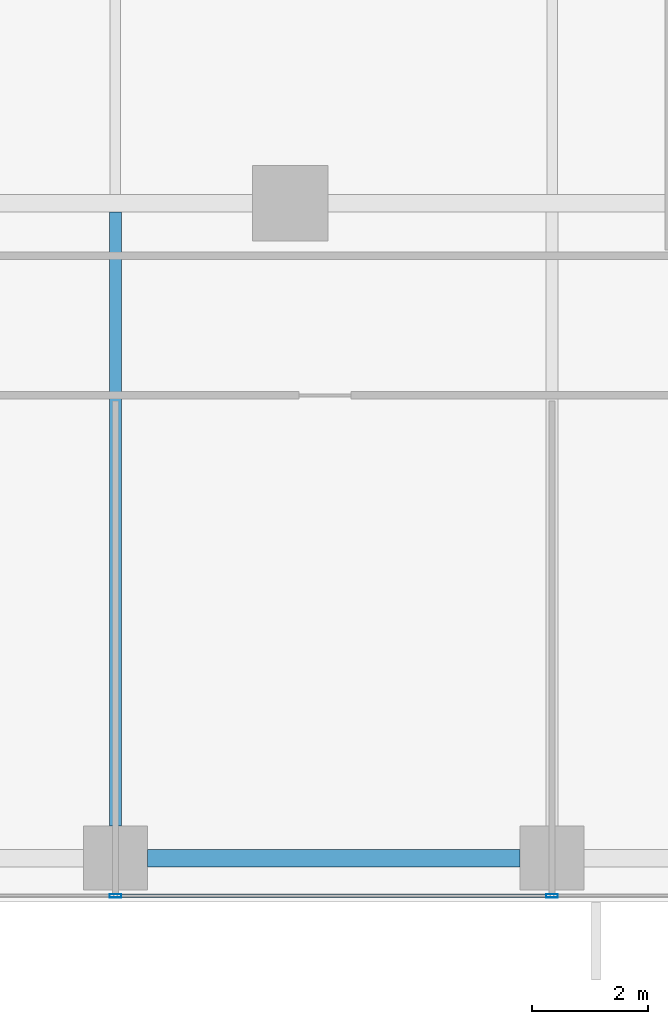
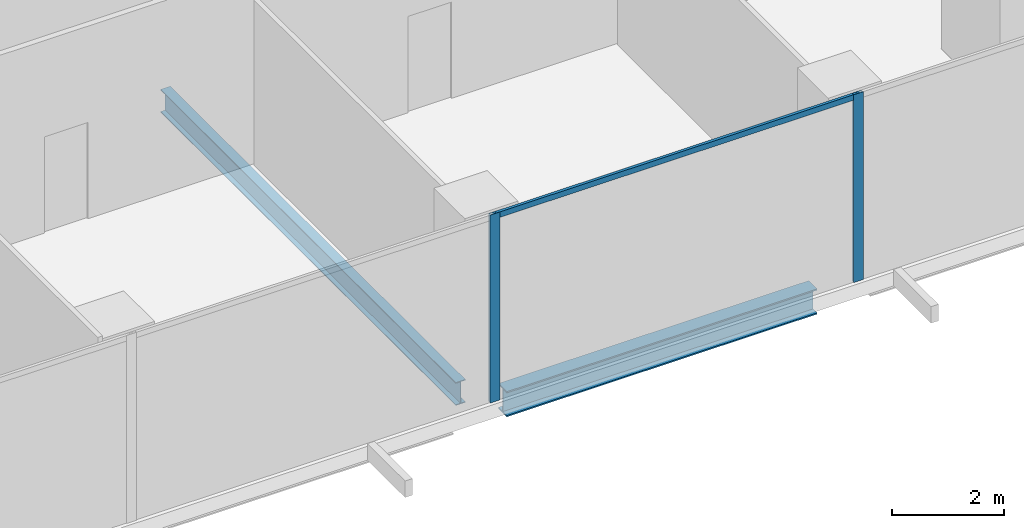
# One storey, part 9 of 34: 3 members, 2 beams, 1 element without a shape of its own.
"""IFC4 building model written with IfcOpenShell, lengths in metres."""

import ifcopenshell
import ifcopenshell.guid

model = None  # the IFC model being written
_history = None  # IfcOwnerHistory: only IFC2X3 demands one
_inside = {}  # id of a spatial element -> (the spatial element, [elements in it])
_under = {}  # id of a project, library or spatial element -> (it, [spatial elements below it])
_declared = {}  # id of a project -> (the project, [libraries it declares])
_typed = {}  # id of a type object -> (the type object, [elements of that type])
_made_of = {}  # id of a material, layer set ... -> (it, [elements and type objects made of it])


def new_model(schema):
    """Start an empty IFC model of exactly this schema.

    Asked for "IFC4X3", IfcOpenShell would pick the latest addendum, in which some entities
    have other attributes; the version numbers below select the first issue.
    IFC2X3 requires an IfcOwnerHistory on every rooted entity: one is made here for all.
    """
    global model, _history
    if schema == "IFC4X3":
        model = ifcopenshell.file(schema_version=(4, 3, 0, 0))
    else:
        model = ifcopenshell.file(schema=schema)
    _inside.clear()
    _under.clear()
    _declared.clear()
    _typed.clear()
    _made_of.clear()
    _history = None
    if model.schema == "IFC2X3":
        org = make("IfcOrganization", Name="unknown")
        user = make(
            "IfcPersonAndOrganization",
            ThePerson=make("IfcPerson", FamilyName="unknown"),
            TheOrganization=org,
        )
        app = make(
            "IfcApplication",
            ApplicationDeveloper=org,
            Version="unknown",
            ApplicationFullName="unknown",
            ApplicationIdentifier="unknown",
        )
        _history = make(
            "IfcOwnerHistory",
            OwningUser=user,
            OwningApplication=app,
            ChangeAction="ADDED",
            CreationDate=0,
        )
    return model


def make(cls, **values):
    """One entity of the class cls with the attributes given. An attribute that is None is left unset."""
    return model.create_entity(
        cls, **{name: value for name, value in values.items() if value is not None}
    )


def rooted(cls, **values):
    """An entity with a GlobalId (a new one), such as an element, a storey or a relation."""
    return make(cls, GlobalId=ifcopenshell.guid.new(), OwnerHistory=_history, **values)


def si_unit(unit_type, name, prefix=None):
    """IfcSIUnit, for example si_unit("LENGTHUNIT", "METRE", prefix="MILLI")."""
    return make("IfcSIUnit", UnitType=unit_type, Prefix=prefix, Name=name)


def assignment(units):
    """IfcUnitAssignment: the units of a project."""
    return None if units is None else make("IfcUnitAssignment", Units=units)


def point(xyz):
    """IfcCartesianPoint."""
    return None if xyz is None else make("IfcCartesianPoint", Coordinates=xyz)


def direction(xyz):
    """IfcDirection."""
    return None if xyz is None else make("IfcDirection", DirectionRatios=xyz)


def frame(location, z_axis=None, x_axis=None):
    """IfcAxis2Placement3D, a coordinate frame: its origin and axes. An axis left out is left unset."""
    return make(
        "IfcAxis2Placement3D",
        Location=point(location),
        Axis=direction(z_axis),
        RefDirection=direction(x_axis),
    )


def frame_2d(location, x_axis=None):
    """IfcAxis2Placement2D, a coordinate frame in the plane: its origin and x axis."""
    return make(
        "IfcAxis2Placement2D", Location=point(location), RefDirection=direction(x_axis)
    )


def origin():
    """The frame at (0, 0, 0) with its axes left unset."""
    return frame((0.0, 0.0, 0.0))


def origin_2d():
    """The frame at (0, 0) in the plane with its x axis left unset."""
    return frame_2d((0.0, 0.0))


def place(relative_to, where):
    """IfcLocalPlacement: puts the frame where relative to a parent placement (None: the world)."""
    return make(
        "IfcLocalPlacement", PlacementRelTo=relative_to, RelativePlacement=where
    )


def context(
    kind, dimensions, precision=None, world=None, true_north=None, identifier=None
):
    """IfcGeometricRepresentationContext, for example the 3D "Model" context."""
    return make(
        "IfcGeometricRepresentationContext",
        ContextIdentifier=identifier,
        ContextType=kind,
        CoordinateSpaceDimension=dimensions,
        Precision=precision,
        WorldCoordinateSystem=world,
        TrueNorth=true_north,
    )


def subcontext(parent, identifier, kind, view, scale=None):
    """IfcGeometricRepresentationSubContext, for example "Body" below "Model"."""
    return make(
        "IfcGeometricRepresentationSubContext",
        ContextIdentifier=identifier,
        ContextType=kind,
        ParentContext=parent,
        TargetScale=scale,
        TargetView=view,
    )


def project(units=None, contexts=None):
    """IfcProject with its units and contexts."""
    return rooted(
        "IfcProject",
        Name="project",
        RepresentationContexts=contexts,
        UnitsInContext=assignment(units),
    )


def spatial(cls, under=None, at=None, **own):
    """A site, building, storey or space (cls), placed at a placement, below another one or the project."""
    s = rooted(cls, ObjectPlacement=at, **own)
    if under is not None:
        _under.setdefault(under.id(), (under, []))[1].append(s)
    return s


def profile(cls, at=None, kind="AREA", **sizes):
    """A parametric profile (cls). Its sizes go by their IFC names, for example OverallWidth=200.0."""
    return make(cls, ProfileType=kind, Position=at, **sizes)


def hollow_rectangle(**sizes):
    """IfcRectangleHollowProfileDef."""
    return profile("IfcRectangleHollowProfileDef", **sizes)


def i_section(**sizes):
    """IfcIShapeProfileDef."""
    return profile("IfcIShapeProfileDef", **sizes)


def extrude(swept, where, along, depth):
    """IfcExtrudedAreaSolid: the profile swept, set in the frame where, extruded along a direction by depth."""
    return make(
        "IfcExtrudedAreaSolid",
        SweptArea=swept,
        Position=where,
        ExtrudedDirection=direction(along),
        Depth=depth,
    )


def shape(context_of_items, identifier, shape_type, items):
    """IfcShapeRepresentation: the items that make up one representation, for example the "Body"."""
    return make(
        "IfcShapeRepresentation",
        ContextOfItems=context_of_items,
        RepresentationIdentifier=identifier,
        RepresentationType=shape_type,
        Items=items,
    )


def source(mapping_origin, context_of_items, identifier, shape_type, items):
    """IfcRepresentationMap: a shape defined once, which mapped items show again and again."""
    return make(
        "IfcRepresentationMap",
        MappingOrigin=mapping_origin,
        MappedRepresentation=shape(context_of_items, identifier, shape_type, items),
    )


def transform(
    local_origin,
    x_axis=None,
    y_axis=None,
    z_axis=None,
    scale=None,
    scale2=None,
    scale3=None,
    uniform=True,
):
    """IfcCartesianTransformationOperator3D, or its non-uniform kind. x_axis, y_axis, z_axis: its Axis1, 2, 3."""
    if uniform:
        return make(
            "IfcCartesianTransformationOperator3D",
            Axis1=direction(x_axis),
            Axis2=direction(y_axis),
            LocalOrigin=point(local_origin),
            Scale=scale,
            Axis3=direction(z_axis),
        )
    return make(
        "IfcCartesianTransformationOperator3DnonUniform",
        Axis1=direction(x_axis),
        Axis2=direction(y_axis),
        LocalOrigin=point(local_origin),
        Scale=scale,
        Axis3=direction(z_axis),
        Scale2=scale2,
        Scale3=scale3,
    )


def mapped(mapping_source, mapping_target):
    """IfcMappedItem: shows the shape of a source again, moved by a transform."""
    return make(
        "IfcMappedItem", MappingSource=mapping_source, MappingTarget=mapping_target
    )


def material(Name=None, Category=None):
    """IfcMaterial."""
    return make("IfcMaterial", Name=Name, Category=Category)


def material_profile(
    of_material, cross_section, Name=None, Category=None, Priority=None
):
    """IfcMaterialProfile: a cross section and its material."""
    return make(
        "IfcMaterialProfile",
        Name=Name,
        Material=of_material,
        Profile=cross_section,
        Priority=Priority,
        Category=Category,
    )


def profile_set(profiles, Name=None, composite=None):
    """IfcMaterialProfileSet."""
    return make(
        "IfcMaterialProfileSet",
        Name=Name,
        MaterialProfiles=profiles,
        CompositeProfile=composite,
    )


def made_of(thing, what):
    """Note that an element or type object is made of a material, layer set ...; save() writes the relation."""
    if what is not None:
        _made_of.setdefault(what.id(), (what, []))[1].append(thing)
    return thing


def type_object(cls, material=None, **own):
    """A type object (cls), such as IfcWallType, which elements share."""
    return made_of(rooted(cls, **own), material)


def element(
    cls,
    number,
    at=None,
    inside=None,
    cuts=None,
    type_object=None,
    material=None,
    context=None,
    identifier="Body",
    shape_type=None,
    held_by="IfcProductDefinitionShape",
    body=None,
    shapes=None,
    **own,
):
    """One element of the class cls, such as IfcWall. Its Tag is "e" and its number.

    at: its placement. inside: the storey or other place that contains it. cuts: it is an
    opening in that element (IfcRelVoidsElement). A single representation is given by context,
    identifier, shape_type and body (its items); several are given by shapes. held_by: the class
    of the entity that holds the representations. save() writes the other relations.
    """
    e = rooted(cls, Tag="e%d" % number, ObjectPlacement=at, **own)
    if body is not None:
        shapes = [shape(context, identifier, shape_type, body)]
    if shapes is not None:
        e.Representation = make(held_by, Representations=shapes)
    if inside is not None:
        _inside.setdefault(inside.id(), (inside, []))[1].append(e)
    if cuts is not None:
        rooted(
            "IfcRelVoidsElement", RelatingBuildingElement=cuts, RelatedOpeningElement=e
        )
    if type_object is not None:
        _typed.setdefault(type_object.id(), (type_object, []))[1].append(e)
    return made_of(e, material)


def aggregate(whole, parts):
    """IfcRelAggregates: a whole, such as a stair, and the parts it consists of."""
    return rooted("IfcRelAggregates", RelatingObject=whole, RelatedObjects=parts)


def save(model, path):
    """Write the relations noted so far, then the file.

    IfcRelAggregates (storeys below a building ...), IfcRelContainedInSpatialStructure (elements
    in a storey), IfcRelDefinesByType, IfcRelAssociatesMaterial and IfcRelDeclares: one each for
    every whole, place, type object, material and project.
    """
    for whole, parts in _under.values():
        aggregate(whole, parts)
    for where, things in _inside.values():
        rooted(
            "IfcRelContainedInSpatialStructure",
            RelatedElements=things,
            RelatingStructure=where,
        )
    for kind, things in _typed.values():
        rooted("IfcRelDefinesByType", RelatedObjects=things, RelatingType=kind)
    for what, things in _made_of.values():
        rooted("IfcRelAssociatesMaterial", RelatedObjects=things, RelatingMaterial=what)
    for by, libraries in _declared.values():
        rooted("IfcRelDeclares", RelatingContext=by, RelatedDefinitions=libraries)
    model.write(path)


model = new_model("IFC4")

# Units and contexts
model_context = context("Model", 3, precision=1e-05, world=origin(), true_north=direction((0.0, 1.0)))
body_context = subcontext(model_context, "Body", "Model", "MODEL_VIEW")
ifc_project = project(units=[si_unit("LENGTHUNIT", "METRE"), si_unit("AREAUNIT", "SQUARE_METRE"), si_unit("VOLUMEUNIT", "CUBIC_METRE"), si_unit("PLANEANGLEUNIT", "RADIAN"), si_unit("MASSUNIT", "GRAM", prefix="KILO")], contexts=[model_context])

# Site, building, storey
site_placement = place(None, origin())
site = spatial("IfcSite", under=ifc_project, at=site_placement, CompositionType="ELEMENT")
building_placement = place(site_placement, origin())
building = spatial("IfcBuilding", under=site, at=building_placement, Name="Khomas Fold Tower", CompositionType="ELEMENT")
storey_placement = place(building_placement, frame((0.0, 0.0, 110.300048828125)))
storey = spatial("IfcBuildingStorey", under=building, at=storey_placement, Name="L23", CompositionType="ELEMENT", Elevation=110.300048828125)

# Beams
ifc_material_1 = material(Name="Steel S355", Category="steel")
ifc_material_profile_1 = material_profile(ifc_material_1, i_section(OverallWidth=0.300048828125, OverallDepth=0.550048828125, WebThickness=0.014892578125, FlangeThickness=0.029052734375, at=origin_2d()), Name="HE 550 B")
ifc_profile_set_1 = profile_set([ifc_material_profile_1], Name="Steel S355")
beam_type_1 = type_object("IfcBeamType", Name="HE 550 B spandrel SB2", PredefinedType="SPANDREL", material=ifc_profile_set_1)
shared_shape_1 = source(origin(), body_context, "Body", "SweptSolid", [
    extrude(i_section(OverallWidth=0.300048828125, OverallDepth=0.550048828125, WebThickness=0.014892578125, FlangeThickness=0.029052734375, at=origin_2d()), origin(), (0.0, 0.0, 1.0), 6.39990234375),
])
beam_1_placement = place(storey_placement, frame((35.050048828125, 2.25, -0.574951171875), z_axis=(1.0, 0.0, 0.0), x_axis=(0.0, 1.0, 0.0)))
element("IfcBeam", 1, at=beam_1_placement, inside=storey, type_object=beam_type_1, Name="SB2", PredefinedType="SPANDREL", context=body_context, shape_type="MappedRepresentation", body=[
    mapped(shared_shape_1, transform((0.0, 0.0, 0.0))),
])
ifc_material_2 = material(Name="Steel S355", Category="steel")
ifc_material_profile_2 = material_profile(ifc_material_2, i_section(OverallWidth=0.199951171875, OverallDepth=0.5, WebThickness=0.01025390625, FlangeThickness=0.01611328125, at=origin_2d()), Name="IPE 500")
ifc_profile_set_2 = profile_set([ifc_material_profile_2], Name="Steel S355")
beam_type_2 = type_object("IfcBeamType", Name="IPE 500 beam JB5", PredefinedType="BEAM", material=ifc_profile_set_2)
shared_shape_2 = source(origin(), body_context, "Body", "SweptSolid", [
    extrude(i_section(OverallWidth=0.199951171875, OverallDepth=0.5, WebThickness=0.01025390625, FlangeThickness=0.01611328125, at=origin_2d()), origin(), (0.0, 0.0, 1.0), 10.550048828125),
])
beam_2_placement = place(storey_placement, frame((34.5, 2.800048828125, -0.550048828125), z_axis=(0.0, 1.0, 0.0), x_axis=(-1.0, 0.0, 0.0)))
element("IfcBeam", 2, at=beam_2_placement, inside=storey, type_object=beam_type_2, Name="JB5", PredefinedType="BEAM", context=body_context, shape_type="MappedRepresentation", body=[
    mapped(shared_shape_2, transform((0.0, 0.0, 0.0))),
])

# Curtain wall, members
ifc_material_3 = material(Name="Aluminium framed double glazing", Category="aluminium")
curtain_wall_type = type_object("IfcCurtainWallType", Name="SK-Unitised clear-glass wall, growing floors CW1", PredefinedType="NOTDEFINED", material=ifc_material_3)
curtain_wall_placement = place(storey_placement, origin())
curtain_wall = element("IfcCurtainWall", 3, at=curtain_wall_placement, inside=storey, type_object=curtain_wall_type, Name="CW1 run L23 00-0", PredefinedType="NOTDEFINED")
ifc_material_4 = material(Name="Aluminium", Category="aluminium")
ifc_material_profile_3 = material_profile(ifc_material_4, hollow_rectangle(XDim=0.06005859375, YDim=0.1201171875, WallThickness=0.00390625, at=origin_2d()), Name="SK-Unitised clear-glass wall, growing floors transom CW1-T")
ifc_profile_set_3 = profile_set([ifc_material_profile_3], Name="Aluminium")
member_type_1 = type_object("IfcMemberType", Name="SK-Unitised clear-glass wall, growing floors transom CW1-T", PredefinedType="USERDEFINED", material=ifc_profile_set_3)
shared_shape_3 = source(origin(), body_context, "Body", "SweptSolid", [
    extrude(hollow_rectangle(XDim=0.06005859375, YDim=0.1201171875, WallThickness=0.00390625, at=origin_2d()), origin(), (0.0, 0.0, 1.0), 7.43994140625),
])
member_1_placement = place(storey_placement, frame((34.530029296875, 1.60009765625, 4.0400390625), z_axis=(1.0, 0.0, 0.0), x_axis=(0.0, 1.0, 0.0)))
member_1 = element("IfcMember", 4, at=member_1_placement, type_object=member_type_1, Name="CW1 transom 6", ObjectType="TRANSOM", PredefinedType="USERDEFINED", context=body_context, shape_type="MappedRepresentation", body=[
    mapped(shared_shape_3, transform((0.0, 0.0, 0.0))),
])
ifc_material_5 = material(Name="Aluminium", Category="aluminium")
ifc_material_profile_4 = material_profile(ifc_material_5, hollow_rectangle(XDim=0.06005859375, YDim=0.199951171875, WallThickness=0.00390625, at=origin_2d()), Name="SK-Unitised clear-glass wall, growing floors mullion CW1-M")
ifc_profile_set_4 = profile_set([ifc_material_profile_4], Name="Aluminium")
member_type_2 = type_object("IfcMemberType", Name="SK-Unitised clear-glass wall, growing floors mullion CW1-M", PredefinedType="MULLION", material=ifc_profile_set_4)
shared_shape_4 = source(origin(), body_context, "Body", "SweptSolid", [
    extrude(hollow_rectangle(XDim=0.06005859375, YDim=0.199951171875, WallThickness=0.00390625, at=origin_2d()), origin(), (0.0, 0.0, 1.0), 4.099853515625),
])
member_2_placement = place(storey_placement, frame((34.5, 1.60009765625, 0.0), z_axis=(0.0, 0.0, 1.0), x_axis=(0.0, 1.0, 0.0)))
member_2 = element("IfcMember", 5, at=member_2_placement, type_object=member_type_2, Name="CW1 mullion 6", PredefinedType="MULLION", context=body_context, shape_type="MappedRepresentation", body=[
    mapped(shared_shape_4, transform((0.0, 0.0, 0.0))),
])
member_3_placement = place(storey_placement, frame((42.0, 1.60009765625, 0.0), z_axis=(0.0, 0.0, 1.0), x_axis=(0.0, 1.0, 0.0)))
member_3 = element("IfcMember", 6, at=member_3_placement, type_object=member_type_2, Name="CW1 mullion 7", PredefinedType="MULLION", context=body_context, shape_type="MappedRepresentation", body=[
    mapped(shared_shape_4, transform((0.0, 0.0, 0.0))),
])
aggregate(curtain_wall, [member_2, member_3, member_1])

save(model, "model.ifc")
